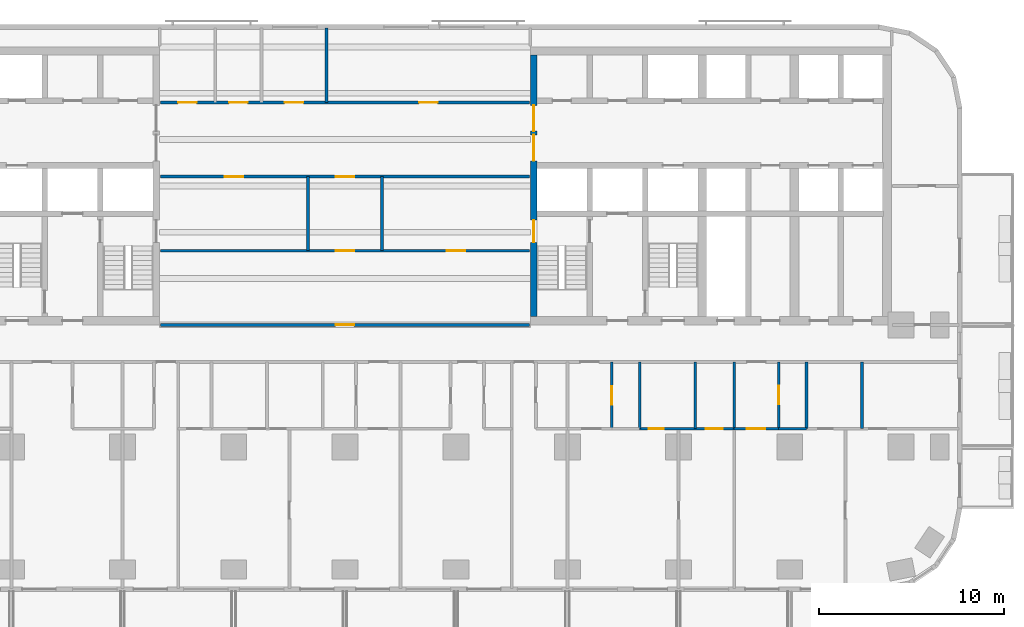
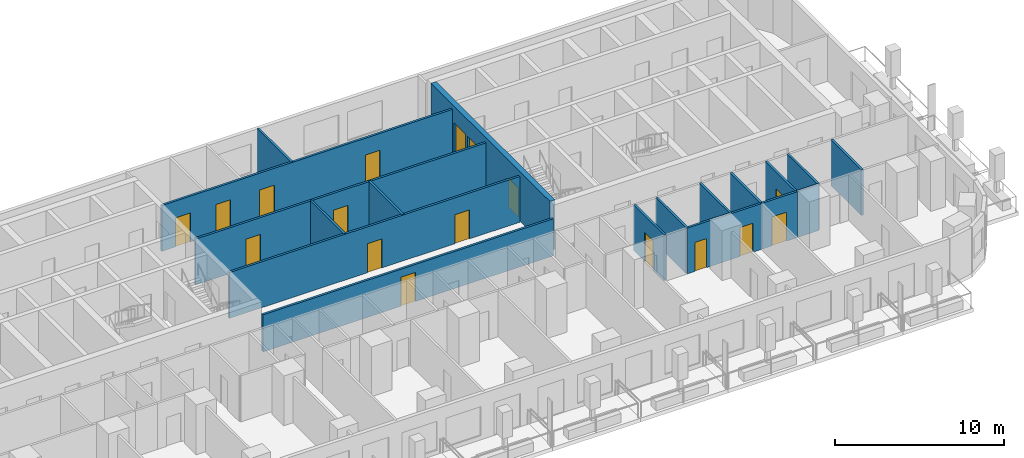
# One storey, part 6 of 14: 18 walls, 17 doors, 17 openings.
"""IFC4 building model written with IfcOpenShell, lengths in metres."""

from ifc_helpers import new_model, si_unit, direction, frame, frame_2d, origin, place, context, subcontext, project, spatial, rectangle, extrude, material, layer, layer_set, type_object, element, fill, save


model = new_model("IFC4")

# Units and contexts
model_context = context("Model", 3, precision=1e-05, world=origin(), true_north=direction((0.0, 1.0)))
body_context = subcontext(model_context, "Body", "Model", "MODEL_VIEW")
ifc_project = project(units=[si_unit("LENGTHUNIT", "METRE"), si_unit("AREAUNIT", "SQUARE_METRE"), si_unit("VOLUMEUNIT", "CUBIC_METRE"), si_unit("PLANEANGLEUNIT", "RADIAN"), si_unit("MASSUNIT", "GRAM", prefix="KILO")], contexts=[model_context])

# Site, building, storey
site_placement = place(None, origin())
site = spatial("IfcSite", under=ifc_project, at=site_placement, CompositionType="ELEMENT")
building_placement = place(site_placement, origin())
building = spatial("IfcBuilding", under=site, at=building_placement, Name="Torana Hotel and Residences", CompositionType="ELEMENT")
storey_placement = place(building_placement, frame((0.0, 0.0, 96.0)))
storey = spatial("IfcBuildingStorey", under=building, at=storey_placement, Name="L24", CompositionType="ELEMENT", Elevation=96.0)

# Wall, openings, doors
ifc_material_1 = material(Name="Concrete C80/95", Category="concrete")
ifc_layer_1 = layer(ifc_material_1, 0.35009765625)
ifc_layer_set_1 = layer_set([ifc_layer_1], Name="CORE WALL 350 C80/95")
wall_type_1 = type_object("IfcWallType", Name="CORE WALL 350 C80/95", PredefinedType="SHEAR", material=ifc_layer_set_1)
wall_1_placement = place(storey_placement, frame((10.175048828125, -14.550048828125, 0.0), z_axis=(0.0, 0.0, 1.0), x_axis=(0.0, 1.0, 0.0)))
wall_1 = element("IfcWall", 1, at=wall_1_placement, inside=storey, type_object=wall_type_1, Name="Core wall E arch", PredefinedType="SHEAR", context=body_context, shape_type="SweptSolid", body=[
    extrude(rectangle(XDim=14.10009765625, YDim=0.35009765625, at=frame_2d((7.050048828125, 0.0))), origin(), (0.0, 0.0, 1.0), 3.60009765625),
])
opening_1_placement = place(wall_1_placement, frame((8.39990234375, 0.0, 0.0)))
opening_1 = element("IfcOpeningElement", 2, at=opening_1_placement, cuts=wall_1, Name="Opening L24-17", PredefinedType="OPENING", context=body_context, shape_type="SweptSolid", body=[
    extrude(rectangle(XDim=1.39990234375, YDim=2.39990234375, at=frame_2d((0.699951171875, 1.199951171875))), frame((0.0, 0.18505859375, 0.0), z_axis=(0.0, -1.0, 0.0), x_axis=(1.0, 0.0, 0.0)), (0.0, 0.0, 1.0), 0.3701171875),
])
opening_2_placement = place(wall_1_placement, frame((10.0, 0.0, 0.0)))
opening_2 = element("IfcOpeningElement", 3, at=opening_2_placement, cuts=wall_1, Name="Opening L24-18", PredefinedType="OPENING", context=body_context, shape_type="SweptSolid", body=[
    extrude(rectangle(XDim=1.39990234375, YDim=2.39990234375, at=frame_2d((0.699951171875, 1.199951171875))), frame((0.0, 0.18505859375, 0.0), z_axis=(0.0, -1.0, 0.0), x_axis=(1.0, 0.0, 0.0)), (0.0, 0.0, 1.0), 0.3701171875),
])
opening_3_placement = place(wall_1_placement, frame((4.0, 0.0, 0.0)))
opening_3 = element("IfcOpeningElement", 4, at=opening_3_placement, cuts=wall_1, Name="Opening L24-19", PredefinedType="OPENING", context=body_context, shape_type="SweptSolid", body=[
    extrude(rectangle(XDim=1.199951171875, YDim=2.10009765625, at=frame_2d((0.60009765625, 1.050048828125))), frame((0.0, 0.18505859375, 0.0), z_axis=(0.0, -1.0, 0.0), x_axis=(1.0, 0.0, 0.0)), (0.0, 0.0, 1.0), 0.3701171875),
])
ifc_material_2 = material(Name="Steel S235", Category="steel")
door_type_1 = type_object("IfcDoorType", Name="LOBBY FIRE DOOR D4 1400x2400", OperationType="DOUBLE_DOOR_SINGLE_SWING", PredefinedType="DOOR", material=ifc_material_2)
door_1_placement = place(opening_1_placement, origin())
door_1 = element("IfcDoor", 5, at=door_1_placement, inside=storey, type_object=door_type_1, Name="Lobby-1 door L24", OperationType="DOUBLE_DOOR_SINGLE_SWING", OverallHeight=2.39990234375, OverallWidth=1.39990234375, PredefinedType="DOOR", context=body_context, shape_type="SweptSolid", body=[
    extrude(rectangle(XDim=1.39990234375, YDim=2.39990234375, at=frame_2d((0.699951171875, 1.199951171875))), frame((0.0, 0.02490234375, 0.0), z_axis=(0.0, -1.0, 0.0), x_axis=(1.0, 0.0, 0.0)), (0.0, 0.0, 1.0), 0.050048828125),
])
fill(opening_1, door_1)
door_2_placement = place(opening_2_placement, origin())
door_2 = element("IfcDoor", 6, at=door_2_placement, inside=storey, type_object=door_type_1, Name="Lobby-2 door L24", OperationType="DOUBLE_DOOR_SINGLE_SWING", OverallHeight=2.39990234375, OverallWidth=1.39990234375, PredefinedType="DOOR", context=body_context, shape_type="SweptSolid", body=[
    extrude(rectangle(XDim=1.39990234375, YDim=2.39990234375, at=frame_2d((0.699951171875, 1.199951171875))), frame((0.0, 0.02490234375, 0.0), z_axis=(0.0, -1.0, 0.0), x_axis=(1.0, 0.0, 0.0)), (0.0, 0.0, 1.0), 0.050048828125),
])
fill(opening_2, door_2)
ifc_material_3 = material(Name="Steel S235", Category="steel")
door_type_2 = type_object("IfcDoorType", Name="STAIR FIRE DOOR D3 1200x2100", OperationType="SINGLE_SWING_LEFT", PredefinedType="DOOR", material=ifc_material_3)
door_3_placement = place(opening_3_placement, frame((0.60009765625, 0.0, 0.0), z_axis=(0.0, 0.0, 1.0), x_axis=(-1.0, 0.0, 0.0)))
door_3 = element("IfcDoor", 7, at=door_3_placement, inside=storey, type_object=door_type_2, Name="Stair-A door L24", OperationType="SINGLE_SWING_RIGHT", OverallHeight=2.10009765625, OverallWidth=1.199951171875, PredefinedType="DOOR", context=body_context, shape_type="SweptSolid", body=[
    extrude(rectangle(XDim=1.199951171875, YDim=2.10009765625, at=frame_2d((0.0, 1.050048828125))), frame((0.0, -0.02490234375, 0.0), z_axis=(0.0, 1.0, 0.0), x_axis=(-1.0, 0.0, 0.0)), (0.0, 0.0, 1.0), 0.050048828125),
])
fill(opening_3, door_3)

# Wall, opening, door
ifc_material_4 = material(Name="Gypsum plaster")
ifc_layer_2 = layer(ifc_material_4, 0.014892578125, Name="Plaster", Category="finish")
ifc_material_5 = material(Name="Concrete blockwork", Category="masonry")
ifc_layer_3 = layer(ifc_material_5, 0.1201171875, Name="Blockwork", Category="structure")
ifc_layer_4 = layer(ifc_material_4, 0.014892578125, Name="Plaster", Category="finish")
ifc_layer_set_2 = layer_set([ifc_layer_2, ifc_layer_3, ifc_layer_4], Name="FIRE PARTITION 150 BLOCKWORK")
wall_type_2 = type_object("IfcWallType", Name="FIRE PARTITION 150 BLOCKWORK", PredefinedType="PARTITIONING", material=ifc_layer_set_2)
wall_2_placement = place(storey_placement, frame((23.39990234375, -20.60009765625, 0.0), z_axis=(0.0, 0.0, 1.0), x_axis=(0.0, 1.0, 0.0)))
wall_2 = element("IfcWall", 8, at=wall_2_placement, inside=storey, type_object=wall_type_2, Name="Partition L24", PredefinedType="PARTITIONING", context=body_context, shape_type="SweptSolid", body=[
    extrude(rectangle(XDim=3.60009765625, YDim=0.14990234375, at=frame_2d((1.800048828125, 0.0))), origin(), (0.0, 0.0, 1.0), 3.320068359375),
])
opening_4_placement = place(wall_2_placement, frame((1.320068359375, 0.0, 0.0)))
opening_4 = element("IfcOpeningElement", 9, at=opening_4_placement, cuts=wall_2, Name="Opening L24-73", PredefinedType="OPENING", context=body_context, shape_type="SweptSolid", body=[
    extrude(rectangle(XDim=1.0, YDim=2.10009765625, at=frame_2d((0.5, 1.050048828125))), frame((0.0, 0.0849609375, 0.0), z_axis=(0.0, -1.0, 0.0), x_axis=(1.0, 0.0, 0.0)), (0.0, 0.0, 1.0), 0.169921875),
])
ifc_material_6 = material(Name="Steel S235", Category="steel")
door_type_3 = type_object("IfcDoorType", Name="ENTRY FIRE DOOR D6 1000x2100", OperationType="SINGLE_SWING_LEFT", PredefinedType="DOOR", material=ifc_material_6)
door_4_placement = place(opening_4_placement, frame((0.5, 0.0, 0.0), z_axis=(0.0, 0.0, 1.0), x_axis=(-1.0, 0.0, 0.0)))
door_4 = element("IfcDoor", 10, at=door_4_placement, inside=storey, type_object=door_type_3, Name="Door L24", OperationType="SINGLE_SWING_LEFT", OverallHeight=2.10009765625, OverallWidth=1.0, PredefinedType="DOOR", context=body_context, shape_type="SweptSolid", body=[
    extrude(rectangle(XDim=1.0, YDim=2.10009765625, at=frame_2d((0.0, 1.050048828125))), frame((0.0, -0.02490234375, 0.0), z_axis=(0.0, 1.0, 0.0), x_axis=(-1.0, 0.0, 0.0)), (0.0, 0.0, 1.0), 0.050048828125),
])
fill(opening_4, door_4)

# Wall
wall_3_placement = place(storey_placement, frame((21.0, -20.60009765625, 0.0), z_axis=(0.0, 0.0, 1.0), x_axis=(0.0, 1.0, 0.0)))
element("IfcWall", 11, at=wall_3_placement, inside=storey, type_object=wall_type_2, Name="Partition L24", PredefinedType="PARTITIONING", context=body_context, shape_type="SweptSolid", body=[
    extrude(rectangle(XDim=3.60009765625, YDim=0.14990234375, at=frame_2d((1.800048828125, 0.0))), origin(), (0.0, 0.0, 1.0), 3.320068359375),
])

# Wall, opening, door
wall_4_placement = place(storey_placement, frame((14.39990234375, -20.60009765625, 0.0), z_axis=(0.0, 0.0, 1.0), x_axis=(0.0, 1.0, 0.0)))
wall_4 = element("IfcWall", 12, at=wall_4_placement, inside=storey, type_object=wall_type_2, Name="Partition L24", PredefinedType="PARTITIONING", context=body_context, shape_type="SweptSolid", body=[
    extrude(rectangle(XDim=3.60009765625, YDim=0.14990234375, at=frame_2d((1.800048828125, 0.0))), origin(), (0.0, 0.0, 1.0), 3.320068359375),
])
opening_5_placement = place(wall_4_placement, frame((1.300048828125, 0.0, 0.0)))
opening_5 = element("IfcOpeningElement", 13, at=opening_5_placement, cuts=wall_4, Name="Opening L24-63", PredefinedType="OPENING", context=body_context, shape_type="SweptSolid", body=[
    extrude(rectangle(XDim=1.0, YDim=2.10009765625, at=frame_2d((0.5, 1.050048828125))), frame((0.0, 0.0849609375, 0.0), z_axis=(0.0, -1.0, 0.0), x_axis=(1.0, 0.0, 0.0)), (0.0, 0.0, 1.0), 0.169921875),
])
door_5_placement = place(opening_5_placement, frame((0.5, 0.0, 0.0), z_axis=(0.0, 0.0, 1.0), x_axis=(-1.0, 0.0, 0.0)))
door_5 = element("IfcDoor", 14, at=door_5_placement, inside=storey, type_object=door_type_3, Name="Door L24", OperationType="SINGLE_SWING_LEFT", OverallHeight=2.10009765625, OverallWidth=1.0, PredefinedType="DOOR", context=body_context, shape_type="SweptSolid", body=[
    extrude(rectangle(XDim=1.0, YDim=2.10009765625, at=frame_2d((0.0, 1.050048828125))), frame((0.0, -0.02490234375, 0.0), z_axis=(0.0, 1.0, 0.0), x_axis=(-1.0, 0.0, 0.0)), (0.0, 0.0, 1.0), 0.050048828125),
])
fill(opening_5, door_5)

# Walls
for number, where, z_axis, x_axis, name in (
    (15, (2.0, -11.0, 0.0), (0.0, 0.0, 1.0), (0.0, 1.0, 0.0), "Partition L24"),
    (16, (-2.0, -11.0, 0.0), (0.0, 0.0, 1.0), (0.0, 1.0, 0.0), "Partition L24"),
):
    element("IfcWall", number, at=place(storey_placement, frame(where, z_axis=z_axis, x_axis=x_axis)), inside=storey, type_object=wall_type_2, Name=name, PredefinedType="PARTITIONING", context=body_context, shape_type="SweptSolid", body=[
        extrude(rectangle(XDim=4.0, YDim=0.14990234375, at=frame_2d((2.0, 0.0))), origin(), (0.0, 0.0, 1.0), 3.320068359375),
    ])

# Wall, opening, door
wall_5_placement = place(storey_placement, frame((21.0, -20.60009765625, 0.0), z_axis=(0.0, 0.0, 1.0), x_axis=(1.0, 0.0, 0.0)))
wall_5 = element("IfcWall", 17, at=wall_5_placement, inside=storey, type_object=wall_type_2, Name="Partition L24", PredefinedType="PARTITIONING", context=body_context, shape_type="SweptSolid", body=[
    extrude(rectangle(XDim=2.39990234375, YDim=0.14990234375, at=frame_2d((1.199951171875, 0.0))), origin(), (0.0, 0.0, 1.0), 3.320068359375),
])
opening_6_placement = place(wall_5_placement, frame((0.679931640625, 0.0, 0.0)))
opening_6 = element("IfcOpeningElement", 18, at=opening_6_placement, cuts=wall_5, Name="Opening L24-74", PredefinedType="OPENING", context=body_context, shape_type="SweptSolid", body=[
    extrude(rectangle(XDim=1.0, YDim=2.10009765625, at=frame_2d((0.5, 1.050048828125))), frame((0.0, 0.0849609375, 0.0), z_axis=(0.0, -1.0, 0.0), x_axis=(1.0, 0.0, 0.0)), (0.0, 0.0, 1.0), 0.169921875),
])
door_6_placement = place(opening_6_placement, frame((0.5, 0.0, 0.0), z_axis=(0.0, 0.0, 1.0), x_axis=(-1.0, 0.0, 0.0)))
door_6 = element("IfcDoor", 19, at=door_6_placement, inside=storey, type_object=door_type_3, Name="Door L24", OperationType="SINGLE_SWING_LEFT", OverallHeight=2.10009765625, OverallWidth=1.0, PredefinedType="DOOR", context=body_context, shape_type="SweptSolid", body=[
    extrude(rectangle(XDim=1.0, YDim=2.10009765625, at=frame_2d((0.0, 1.050048828125))), frame((0.0, -0.02490234375, 0.0), z_axis=(0.0, 1.0, 0.0), x_axis=(-1.0, 0.0, 0.0)), (0.0, 0.0, 1.0), 0.050048828125),
])
fill(opening_6, door_6)

wall_6_placement = place(storey_placement, frame((-9.949951171875, -15.0, 0.0), z_axis=(0.0, 0.0, 1.0), x_axis=(1.0, 0.0, 0.0)))
wall_6 = element("IfcWall", 20, at=wall_6_placement, inside=storey, type_object=wall_type_2, Name="Partition L24", PredefinedType="PARTITIONING", context=body_context, shape_type="SweptSolid", body=[
    extrude(rectangle(XDim=19.89990234375, YDim=0.14990234375, at=frame_2d((9.949951171875, 0.0))), origin(), (0.0, 0.0, 1.0), 2.68408203125),
])
opening_7_placement = place(wall_6_placement, frame((9.449951171875, 0.0, 0.0)))
opening_7 = element("IfcOpeningElement", 21, at=opening_7_placement, cuts=wall_6, Name="Opening L24-33", PredefinedType="OPENING", context=body_context, shape_type="SweptSolid", body=[
    extrude(rectangle(XDim=1.0, YDim=2.10009765625, at=frame_2d((0.5, 1.050048828125))), frame((0.0, 0.0849609375, 0.0), z_axis=(0.0, -1.0, 0.0), x_axis=(1.0, 0.0, 0.0)), (0.0, 0.0, 1.0), 0.169921875),
])
door_7_placement = place(opening_7_placement, origin())
door_7 = element("IfcDoor", 22, at=door_7_placement, inside=storey, type_object=door_type_3, Name="Door L24", OperationType="SINGLE_SWING_RIGHT", OverallHeight=2.10009765625, OverallWidth=1.0, PredefinedType="DOOR", context=body_context, shape_type="SweptSolid", body=[
    extrude(rectangle(XDim=1.0, YDim=2.10009765625, at=frame_2d((0.5, 1.050048828125))), frame((0.0, 0.02490234375, 0.0), z_axis=(0.0, -1.0, 0.0), x_axis=(1.0, 0.0, 0.0)), (0.0, 0.0, 1.0), 0.050048828125),
])
fill(opening_7, door_7)

# Wall, openings, doors
wall_7_placement = place(storey_placement, frame((-9.949951171875, -11.0, 0.0), z_axis=(0.0, 0.0, 1.0), x_axis=(1.0, 0.0, 0.0)))
wall_7 = element("IfcWall", 23, at=wall_7_placement, inside=storey, type_object=wall_type_2, Name="Partition L24", PredefinedType="PARTITIONING", context=body_context, shape_type="SweptSolid", body=[
    extrude(rectangle(XDim=19.89990234375, YDim=0.14990234375, at=frame_2d((9.949951171875, 0.0))), origin(), (0.0, 0.0, 1.0), 3.320068359375),
])
opening_8_placement = place(wall_7_placement, frame((9.449951171875, 0.0, 0.0)))
opening_8 = element("IfcOpeningElement", 24, at=opening_8_placement, cuts=wall_7, Name="Opening L24-44", PredefinedType="OPENING", context=body_context, shape_type="SweptSolid", body=[
    extrude(rectangle(XDim=1.0, YDim=2.10009765625, at=frame_2d((0.5, 1.050048828125))), frame((0.0, 0.0849609375, 0.0), z_axis=(0.0, -1.0, 0.0), x_axis=(1.0, 0.0, 0.0)), (0.0, 0.0, 1.0), 0.169921875),
])
opening_9_placement = place(wall_7_placement, frame((15.449951171875, 0.0, 0.0)))
opening_9 = element("IfcOpeningElement", 25, at=opening_9_placement, cuts=wall_7, Name="Opening L24-45", PredefinedType="OPENING", context=body_context, shape_type="SweptSolid", body=[
    extrude(rectangle(XDim=1.0, YDim=2.10009765625, at=frame_2d((0.5, 1.050048828125))), frame((0.0, 0.0849609375, 0.0), z_axis=(0.0, -1.0, 0.0), x_axis=(1.0, 0.0, 0.0)), (0.0, 0.0, 1.0), 0.169921875),
])
door_8_placement = place(opening_8_placement, origin())
door_8 = element("IfcDoor", 26, at=door_8_placement, inside=storey, type_object=door_type_3, Name="Door L24", OperationType="SINGLE_SWING_RIGHT", OverallHeight=2.10009765625, OverallWidth=1.0, PredefinedType="DOOR", context=body_context, shape_type="SweptSolid", body=[
    extrude(rectangle(XDim=1.0, YDim=2.10009765625, at=frame_2d((0.5, 1.050048828125))), frame((0.0, 0.02490234375, 0.0), z_axis=(0.0, -1.0, 0.0), x_axis=(1.0, 0.0, 0.0)), (0.0, 0.0, 1.0), 0.050048828125),
])
fill(opening_8, door_8)
door_9_placement = place(opening_9_placement, origin())
door_9 = element("IfcDoor", 27, at=door_9_placement, inside=storey, type_object=door_type_3, Name="Door L24", OperationType="SINGLE_SWING_RIGHT", OverallHeight=2.10009765625, OverallWidth=1.0, PredefinedType="DOOR", context=body_context, shape_type="SweptSolid", body=[
    extrude(rectangle(XDim=1.0, YDim=2.10009765625, at=frame_2d((0.5, 1.050048828125))), frame((0.0, 0.02490234375, 0.0), z_axis=(0.0, -1.0, 0.0), x_axis=(1.0, 0.0, 0.0)), (0.0, 0.0, 1.0), 0.050048828125),
])
fill(opening_9, door_9)

wall_8_placement = place(storey_placement, frame((-9.949951171875, -7.0, 0.0), z_axis=(0.0, 0.0, 1.0), x_axis=(1.0, 0.0, 0.0)))
wall_8 = element("IfcWall", 28, at=wall_8_placement, inside=storey, type_object=wall_type_2, Name="Partition L24", PredefinedType="PARTITIONING", context=body_context, shape_type="SweptSolid", body=[
    extrude(rectangle(XDim=19.89990234375, YDim=0.14990234375, at=frame_2d((9.949951171875, 0.0))), origin(), (0.0, 0.0, 1.0), 3.320068359375),
])
opening_10_placement = place(wall_8_placement, frame((9.449951171875, 0.0, 0.0)))
opening_10 = element("IfcOpeningElement", 29, at=opening_10_placement, cuts=wall_8, Name="Opening L24-46", PredefinedType="OPENING", context=body_context, shape_type="SweptSolid", body=[
    extrude(rectangle(XDim=1.0, YDim=2.10009765625, at=frame_2d((0.5, 1.050048828125))), frame((0.0, 0.0849609375, 0.0), z_axis=(0.0, -1.0, 0.0), x_axis=(1.0, 0.0, 0.0)), (0.0, 0.0, 1.0), 0.169921875),
])
opening_11_placement = place(wall_8_placement, frame((3.449951171875, 0.0, 0.0)))
opening_11 = element("IfcOpeningElement", 30, at=opening_11_placement, cuts=wall_8, Name="Opening L24-47", PredefinedType="OPENING", context=body_context, shape_type="SweptSolid", body=[
    extrude(rectangle(XDim=1.0, YDim=2.10009765625, at=frame_2d((0.5, 1.050048828125))), frame((0.0, 0.0849609375, 0.0), z_axis=(0.0, -1.0, 0.0), x_axis=(1.0, 0.0, 0.0)), (0.0, 0.0, 1.0), 0.169921875),
])
door_10_placement = place(opening_10_placement, origin())
door_10 = element("IfcDoor", 31, at=door_10_placement, inside=storey, type_object=door_type_3, Name="Door L24", OperationType="SINGLE_SWING_RIGHT", OverallHeight=2.10009765625, OverallWidth=1.0, PredefinedType="DOOR", context=body_context, shape_type="SweptSolid", body=[
    extrude(rectangle(XDim=1.0, YDim=2.10009765625, at=frame_2d((0.5, 1.050048828125))), frame((0.0, 0.02490234375, 0.0), z_axis=(0.0, -1.0, 0.0), x_axis=(1.0, 0.0, 0.0)), (0.0, 0.0, 1.0), 0.050048828125),
])
fill(opening_10, door_10)
door_11_placement = place(opening_11_placement, frame((0.5, 0.0, 0.0), z_axis=(0.0, 0.0, 1.0), x_axis=(-1.0, 0.0, 0.0)))
door_11 = element("IfcDoor", 32, at=door_11_placement, inside=storey, type_object=door_type_3, Name="Door L24", OperationType="SINGLE_SWING_LEFT", OverallHeight=2.10009765625, OverallWidth=1.0, PredefinedType="DOOR", context=body_context, shape_type="SweptSolid", body=[
    extrude(rectangle(XDim=1.0, YDim=2.10009765625, at=frame_2d((0.0, 1.050048828125))), frame((0.0, -0.02490234375, 0.0), z_axis=(0.0, 1.0, 0.0), x_axis=(-1.0, 0.0, 0.0)), (0.0, 0.0, 1.0), 0.050048828125),
])
fill(opening_11, door_11)

wall_9_placement = place(storey_placement, frame((-9.949951171875, -3.0, 0.0), z_axis=(0.0, 0.0, 1.0), x_axis=(1.0, 0.0, 0.0)))
wall_9 = element("IfcWall", 33, at=wall_9_placement, inside=storey, type_object=wall_type_2, Name="Partition L24", PredefinedType="PARTITIONING", context=body_context, shape_type="SweptSolid", body=[
    extrude(rectangle(XDim=19.89990234375, YDim=0.14990234375, at=frame_2d((9.949951171875, 0.0))), origin(), (0.0, 0.0, 1.0), 3.320068359375),
])
opening_12_placement = place(wall_9_placement, frame((0.949951171875, 0.0, 0.0)))
opening_12 = element("IfcOpeningElement", 34, at=opening_12_placement, cuts=wall_9, Name="Opening L24-48", PredefinedType="OPENING", context=body_context, shape_type="SweptSolid", body=[
    extrude(rectangle(XDim=1.0, YDim=2.10009765625, at=frame_2d((0.5, 1.050048828125))), frame((0.0, 0.0849609375, 0.0), z_axis=(0.0, -1.0, 0.0), x_axis=(1.0, 0.0, 0.0)), (0.0, 0.0, 1.0), 0.169921875),
])
opening_13_placement = place(wall_9_placement, frame((3.699951171875, 0.0, 0.0)))
opening_13 = element("IfcOpeningElement", 35, at=opening_13_placement, cuts=wall_9, Name="Opening L24-49", PredefinedType="OPENING", context=body_context, shape_type="SweptSolid", body=[
    extrude(rectangle(XDim=1.0, YDim=2.10009765625, at=frame_2d((0.5, 1.050048828125))), frame((0.0, 0.0849609375, 0.0), z_axis=(0.0, -1.0, 0.0), x_axis=(1.0, 0.0, 0.0)), (0.0, 0.0, 1.0), 0.169921875),
])
opening_14_placement = place(wall_9_placement, frame((6.699951171875, 0.0, 0.0)))
opening_14 = element("IfcOpeningElement", 36, at=opening_14_placement, cuts=wall_9, Name="Opening L24-50", PredefinedType="OPENING", context=body_context, shape_type="SweptSolid", body=[
    extrude(rectangle(XDim=1.0, YDim=2.10009765625, at=frame_2d((0.5, 1.050048828125))), frame((0.0, 0.0849609375, 0.0), z_axis=(0.0, -1.0, 0.0), x_axis=(1.0, 0.0, 0.0)), (0.0, 0.0, 1.0), 0.169921875),
])
opening_15_placement = place(wall_9_placement, frame((13.949951171875, 0.0, 0.0)))
opening_15 = element("IfcOpeningElement", 37, at=opening_15_placement, cuts=wall_9, Name="Opening L24-51", PredefinedType="OPENING", context=body_context, shape_type="SweptSolid", body=[
    extrude(rectangle(XDim=1.0, YDim=2.10009765625, at=frame_2d((0.5, 1.050048828125))), frame((0.0, 0.0849609375, 0.0), z_axis=(0.0, -1.0, 0.0), x_axis=(1.0, 0.0, 0.0)), (0.0, 0.0, 1.0), 0.169921875),
])
door_12_placement = place(opening_12_placement, origin())
door_12 = element("IfcDoor", 38, at=door_12_placement, inside=storey, type_object=door_type_3, Name="Door L24", OperationType="SINGLE_SWING_RIGHT", OverallHeight=2.10009765625, OverallWidth=1.0, PredefinedType="DOOR", context=body_context, shape_type="SweptSolid", body=[
    extrude(rectangle(XDim=1.0, YDim=2.10009765625, at=frame_2d((0.5, 1.050048828125))), frame((0.0, 0.02490234375, 0.0), z_axis=(0.0, -1.0, 0.0), x_axis=(1.0, 0.0, 0.0)), (0.0, 0.0, 1.0), 0.050048828125),
])
fill(opening_12, door_12)
door_13_placement = place(opening_13_placement, origin())
door_13 = element("IfcDoor", 39, at=door_13_placement, inside=storey, type_object=door_type_3, Name="Door L24", OperationType="SINGLE_SWING_RIGHT", OverallHeight=2.10009765625, OverallWidth=1.0, PredefinedType="DOOR", context=body_context, shape_type="SweptSolid", body=[
    extrude(rectangle(XDim=1.0, YDim=2.10009765625, at=frame_2d((0.5, 1.050048828125))), frame((0.0, 0.02490234375, 0.0), z_axis=(0.0, -1.0, 0.0), x_axis=(1.0, 0.0, 0.0)), (0.0, 0.0, 1.0), 0.050048828125),
])
fill(opening_13, door_13)
door_14_placement = place(opening_14_placement, origin())
door_14 = element("IfcDoor", 40, at=door_14_placement, inside=storey, type_object=door_type_3, Name="Door L24", OperationType="SINGLE_SWING_RIGHT", OverallHeight=2.10009765625, OverallWidth=1.0, PredefinedType="DOOR", context=body_context, shape_type="SweptSolid", body=[
    extrude(rectangle(XDim=1.0, YDim=2.10009765625, at=frame_2d((0.5, 1.050048828125))), frame((0.0, 0.02490234375, 0.0), z_axis=(0.0, -1.0, 0.0), x_axis=(1.0, 0.0, 0.0)), (0.0, 0.0, 1.0), 0.050048828125),
])
fill(opening_14, door_14)
door_15_placement = place(opening_15_placement, origin())
door_15 = element("IfcDoor", 41, at=door_15_placement, inside=storey, type_object=door_type_3, Name="Door L24", OperationType="SINGLE_SWING_RIGHT", OverallHeight=2.10009765625, OverallWidth=1.0, PredefinedType="DOOR", context=body_context, shape_type="SweptSolid", body=[
    extrude(rectangle(XDim=1.0, YDim=2.10009765625, at=frame_2d((0.5, 1.050048828125))), frame((0.0, 0.02490234375, 0.0), z_axis=(0.0, -1.0, 0.0), x_axis=(1.0, 0.0, 0.0)), (0.0, 0.0, 1.0), 0.050048828125),
])
fill(opening_15, door_15)

# Walls
ifc_material_7 = material(Name="Gypsum plasterboard")
ifc_layer_5 = layer(ifc_material_7, 0.012451171875, Name="Plasterboard", Category="finish")
ifc_layer_6 = layer(ifc_material_7, 0.012451171875, Name="Plasterboard", Category="finish")
ifc_material_8 = material(Name="Steel S280GD", Category="steel")
ifc_layer_7 = layer(ifc_material_8, 0.10009765625, Name="Steel studs with mineral wool", Category="insulation")
ifc_layer_8 = layer(ifc_material_7, 0.012451171875, Name="Plasterboard", Category="finish")
ifc_layer_9 = layer(ifc_material_7, 0.012451171875, Name="Plasterboard", Category="finish")
ifc_layer_set_3 = layer_set([ifc_layer_5, ifc_layer_6, ifc_layer_7, ifc_layer_8, ifc_layer_9], Name="PARTITION 150 PLASTERBOARD")
wall_type_3 = type_object("IfcWallType", Name="PARTITION 150 PLASTERBOARD", PredefinedType="PARTITIONING", material=ifc_layer_set_3)
for number, where, z_axis, x_axis, name in (
    (42, (27.89990234375, -20.60009765625, 0.0), (0.0, 0.0, 1.0), (0.0, 1.0, 0.0), "Partition L24"),
    (43, (18.89990234375, -20.60009765625, 0.0), (0.0, 0.0, 1.0), (0.0, 1.0, 0.0), "Partition L24"),
):
    element("IfcWall", number, at=place(storey_placement, frame(where, z_axis=z_axis, x_axis=x_axis)), inside=storey, type_object=wall_type_3, Name=name, PredefinedType="PARTITIONING", context=body_context, shape_type="SweptSolid", body=[
        extrude(rectangle(XDim=3.60009765625, YDim=0.14990234375, at=frame_2d((1.800048828125, 0.0))), origin(), (0.0, 0.0, 1.0), 3.320068359375),
    ])
wall_10_placement = place(storey_placement, frame((-1.0, -3.0, 0.0), z_axis=(0.0, 0.0, 1.0), x_axis=(0.0, 1.0, 0.0)))
element("IfcWall", 44, at=wall_10_placement, inside=storey, type_object=wall_type_3, Name="Partition L24", PredefinedType="PARTITIONING", context=body_context, shape_type="SweptSolid", body=[
    extrude(rectangle(XDim=4.02001953125, YDim=0.14990234375, at=frame_2d((2.010009765625, 0.0))), origin(), (0.0, 0.0, 1.0), 3.320068359375),
])

# Wall, openings, doors
wall_11_placement = place(storey_placement, frame((15.89990234375, -20.60009765625, 0.0), z_axis=(0.0, 0.0, 1.0), x_axis=(1.0, 0.0, 0.0)))
wall_11 = element("IfcWall", 45, at=wall_11_placement, inside=storey, type_object=wall_type_3, Name="Partition L24", PredefinedType="PARTITIONING", context=body_context, shape_type="SweptSolid", body=[
    extrude(rectangle(XDim=5.10009765625, YDim=0.14990234375, at=frame_2d((2.550048828125, 0.0))), origin(), (0.0, 0.0, 1.0), 3.320068359375),
])
opening_16_placement = place(wall_11_placement, frame((0.5, 0.0, 0.0)))
opening_16 = element("IfcOpeningElement", 46, at=opening_16_placement, cuts=wall_11, Name="Opening L24-65", PredefinedType="OPENING", context=body_context, shape_type="SweptSolid", body=[
    extrude(rectangle(XDim=0.800048828125, YDim=2.10009765625, at=frame_2d((0.39990234375, 1.050048828125))), frame((0.0, 0.0849609375, 0.0), z_axis=(0.0, -1.0, 0.0), x_axis=(1.0, 0.0, 0.0)), (0.0, 0.0, 1.0), 0.169921875),
])
opening_17_placement = place(wall_11_placement, frame((3.580078125, 0.0, 0.0)))
opening_17 = element("IfcOpeningElement", 47, at=opening_17_placement, cuts=wall_11, Name="Opening L24-66", PredefinedType="OPENING", context=body_context, shape_type="SweptSolid", body=[
    extrude(rectangle(XDim=0.89990234375, YDim=2.10009765625, at=frame_2d((0.449951171875, 1.050048828125))), frame((0.0, 0.0849609375, 0.0), z_axis=(0.0, -1.0, 0.0), x_axis=(1.0, 0.0, 0.0)), (0.0, 0.0, 1.0), 0.169921875),
])
ifc_material_9 = material(Name="Timber door, painted", Category="wood")
door_type_4 = type_object("IfcDoorType", Name="BATH DOOR D13 800x2100", OperationType="SINGLE_SWING_LEFT", PredefinedType="DOOR", material=ifc_material_9)
door_16_placement = place(opening_16_placement, origin())
door_16 = element("IfcDoor", 48, at=door_16_placement, inside=storey, type_object=door_type_4, Name="Door L24", OperationType="SINGLE_SWING_RIGHT", OverallHeight=2.10009765625, OverallWidth=0.800048828125, PredefinedType="DOOR", context=body_context, shape_type="SweptSolid", body=[
    extrude(rectangle(XDim=0.800048828125, YDim=2.10009765625, at=frame_2d((0.39990234375, 1.050048828125))), frame((0.0, 0.02490234375, 0.0), z_axis=(0.0, -1.0, 0.0), x_axis=(1.0, 0.0, 0.0)), (0.0, 0.0, 1.0), 0.050048828125),
])
fill(opening_16, door_16)
ifc_material_10 = material(Name="Timber door, oiled ash", Category="wood")
door_type_5 = type_object("IfcDoorType", Name="ROOM DOOR D7 900x2100", OperationType="SINGLE_SWING_LEFT", PredefinedType="DOOR", material=ifc_material_10)
door_17_placement = place(opening_17_placement, origin())
door_17 = element("IfcDoor", 49, at=door_17_placement, inside=storey, type_object=door_type_5, Name="Door L24", OperationType="SINGLE_SWING_RIGHT", OverallHeight=2.10009765625, OverallWidth=0.89990234375, PredefinedType="DOOR", context=body_context, shape_type="SweptSolid", body=[
    extrude(rectangle(XDim=0.89990234375, YDim=2.10009765625, at=frame_2d((0.449951171875, 1.050048828125))), frame((0.0, 0.02490234375, 0.0), z_axis=(0.0, -1.0, 0.0), x_axis=(1.0, 0.0, 0.0)), (0.0, 0.0, 1.0), 0.050048828125),
])
fill(opening_17, door_17)

# Walls
ifc_material_11 = material(Name="Ceramic tile on adhesive")
ifc_layer_10 = layer(ifc_material_11, 0.010009765625, Name="Wall tile", Category="finish")
ifc_material_12 = material(Name="Cement render")
ifc_layer_11 = layer(ifc_material_12, 0.010009765625, Name="Render", Category="finish")
ifc_layer_12 = layer(ifc_material_5, 0.110107421875, Name="Blockwork", Category="structure")
ifc_layer_13 = layer(ifc_material_12, 0.010009765625, Name="Render", Category="finish")
ifc_layer_14 = layer(ifc_material_11, 0.010009765625, Name="Wall tile", Category="finish")
ifc_layer_set_4 = layer_set([ifc_layer_10, ifc_layer_11, ifc_layer_12, ifc_layer_13, ifc_layer_14], Name="WC PARTITION 150")
wall_type_4 = type_object("IfcWallType", Name="WC PARTITION 150", PredefinedType="PLUMBINGWALL", material=ifc_layer_set_4)
for number, where, z_axis, x_axis, name in (
    (50, (24.89990234375, -20.60009765625, 0.0), (0.0, 0.0, 1.0), (0.0, 1.0, 0.0), "Partition L24"),
    (51, (15.89990234375, -20.60009765625, 0.0), (0.0, 0.0, 1.0), (0.0, 1.0, 0.0), "Partition L24"),
):
    element("IfcWall", number, at=place(storey_placement, frame(where, z_axis=z_axis, x_axis=x_axis)), inside=storey, type_object=wall_type_4, Name=name, PredefinedType="PLUMBINGWALL", context=body_context, shape_type="SweptSolid", body=[
        extrude(rectangle(XDim=3.60009765625, YDim=0.14990234375, at=frame_2d((1.800048828125, 0.0))), origin(), (0.0, 0.0, 1.0), 3.320068359375),
    ])
wall_12_placement = place(storey_placement, frame((23.39990234375, -20.60009765625, 0.0), z_axis=(0.0, 0.0, 1.0), x_axis=(1.0, 0.0, 0.0)))
element("IfcWall", 52, at=wall_12_placement, inside=storey, type_object=wall_type_4, Name="Partition L24", PredefinedType="PLUMBINGWALL", context=body_context, shape_type="SweptSolid", body=[
    extrude(rectangle(XDim=1.5, YDim=0.14990234375, at=frame_2d((0.75, 0.0))), origin(), (0.0, 0.0, 1.0), 3.320068359375),
])

save(model, "model.ifc")
